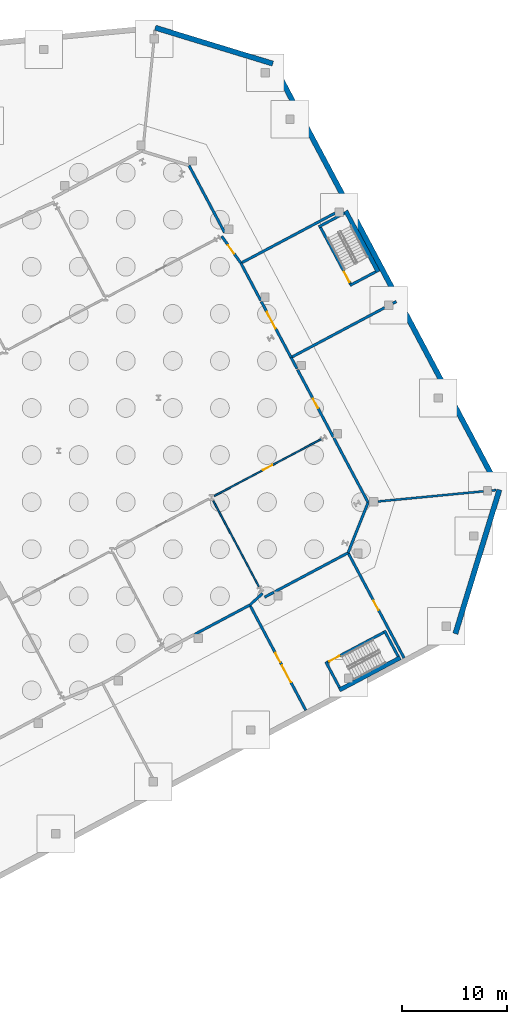
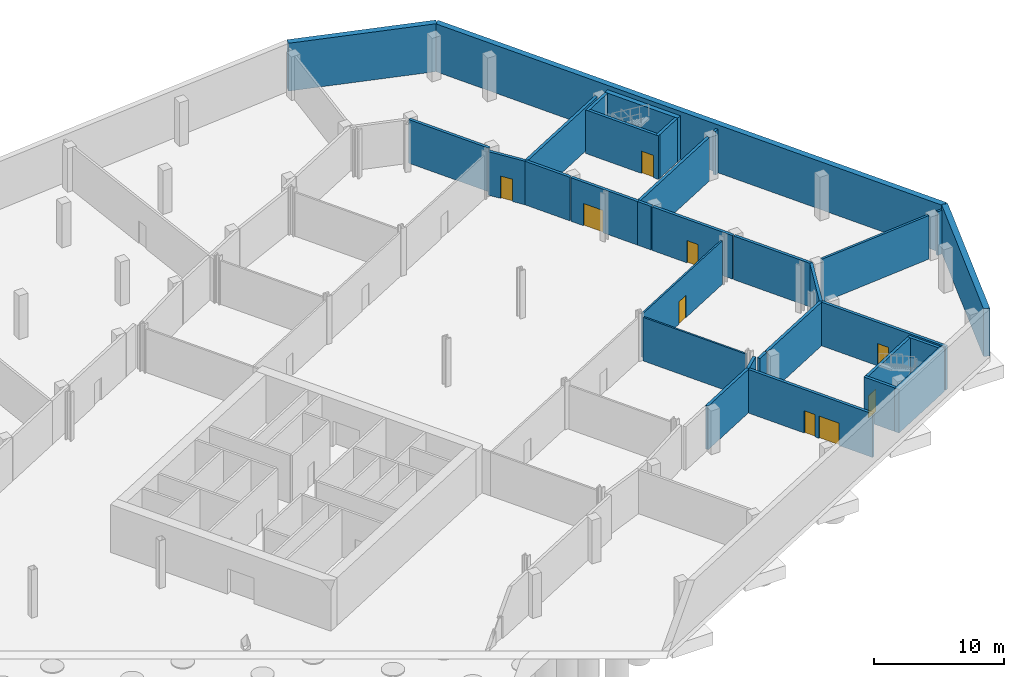
# One storey, part 20 of 29: 32 walls, 9 doors, 9 openings.
"""IFC4 building model written with IfcOpenShell, lengths in metres."""

from ifc_helpers import new_model, si_unit, direction, frame, frame_2d, origin, place, context, subcontext, project, spatial, rectangle, extrude, material, layer, layer_set, type_object, element, fill, save


model = new_model("IFC4")

# Units and contexts
model_context = context("Model", 3, precision=1e-05, world=origin(), true_north=direction((0.0, 1.0)))
body_context = subcontext(model_context, "Body", "Model", "MODEL_VIEW")
ifc_project = project(units=[si_unit("LENGTHUNIT", "METRE"), si_unit("AREAUNIT", "SQUARE_METRE"), si_unit("VOLUMEUNIT", "CUBIC_METRE"), si_unit("PLANEANGLEUNIT", "RADIAN"), si_unit("MASSUNIT", "GRAM", prefix="KILO")], contexts=[model_context])

# Site, building, storey
site_placement = place(None, origin())
site = spatial("IfcSite", under=ifc_project, at=site_placement, CompositionType="ELEMENT")
building_placement = place(site_placement, origin())
building = spatial("IfcBuilding", under=site, at=building_placement, Name="Cormorant Relay Tower", CompositionType="ELEMENT")
storey_placement = place(building_placement, frame((0.0, 0.0, -9.0)))
storey = spatial("IfcBuildingStorey", under=building, at=storey_placement, Name="B2", CompositionType="ELEMENT", Elevation=-9.0)

# Wall, openings, doors
ifc_material_1 = material(Name="Concrete masonry 20 MPa", Category="masonry")
ifc_layer_1 = layer(ifc_material_1, 0.25)
ifc_layer_set_1 = layer_set([ifc_layer_1], Name="Fire separation wall 250")
wall_type_1 = type_object("IfcWallType", Name="Fire separation wall 250", PredefinedType="SOLIDWALL", material=ifc_layer_set_1)
wall_1_placement = place(storey_placement, frame((66.711181640625, -1.90380859375, 0.0), z_axis=(0.0, 0.0, 1.0), x_axis=(-0.469474097874, 0.882946244924, 0.0)))
wall_1 = element("IfcWall", 1, at=wall_1_placement, inside=storey, type_object=wall_type_1, Name="Partition", PredefinedType="SOLIDWALL", context=body_context, shape_type="SweptSolid", body=[
    extrude(rectangle(XDim=11.400146484375, YDim=0.25, at=frame_2d((5.7001953125, 0.0))), origin(), (0.0, 0.0, 1.0), 4.10009765625),
])
opening_1_placement = place(wall_1_placement, frame((5.199951171875, 0.0, 0.0)))
opening_1 = element("IfcOpeningElement", 2, at=opening_1_placement, cuts=wall_1, Name="Opening PD1-003", PredefinedType="OPENING", context=body_context, shape_type="SweptSolid", body=[
    extrude(rectangle(XDim=1.0, YDim=2.10009765625, at=frame_2d((0.5, 1.050048828125))), frame((0.0, 0.135009765625, 0.0), z_axis=(0.0, -1.0, 0.0), x_axis=(1.0, 0.0, 0.0)), (0.0, 0.0, 1.0), 0.27001953125),
])
opening_2_placement = place(wall_1_placement, frame((3.050048828125, 0.0, 0.0)))
opening_2 = element("IfcOpeningElement", 3, at=opening_2_placement, cuts=wall_1, Name="Opening PD3-001", PredefinedType="OPENING", context=body_context, shape_type="SweptSolid", body=[
    extrude(rectangle(XDim=1.800048828125, YDim=2.10009765625, at=frame_2d((0.89990234375, 1.050048828125))), frame((0.0, 0.135009765625, 0.0), z_axis=(0.0, -1.0, 0.0), x_axis=(1.0, 0.0, 0.0)), (0.0, 0.0, 1.0), 0.27001953125),
])
ifc_material_2 = material(Name="Steel door leaf", Category="steel")
door_type_1 = type_object("IfcDoorType", Name="Door double 1800", OperationType="DOUBLE_DOOR_SINGLE_SWING", PredefinedType="DOOR", material=ifc_material_2)
door_1_placement = place(opening_2_placement, frame((1.800048828125, 0.0, 0.0), z_axis=(0.0, 0.0, 1.0), x_axis=(-1.0, 0.0, 0.0)))
door_1 = element("IfcDoor", 4, at=door_1_placement, inside=storey, type_object=door_type_1, Name="Door", OperationType="DOUBLE_DOOR_SINGLE_SWING", OverallHeight=2.10009765625, OverallWidth=1.800048828125, PredefinedType="DOOR", context=body_context, shape_type="SweptSolid", body=[
    extrude(rectangle(XDim=1.800048828125, YDim=2.10009765625, at=frame_2d((0.89990234375, 1.050048828125))), frame((0.0, 0.02490234375, 0.0), z_axis=(0.0, -1.0, 0.0), x_axis=(1.0, 0.0, 0.0)), (0.0, 0.0, 1.0), 0.050048828125),
])
fill(opening_2, door_1)
ifc_material_3 = material(Name="Steel door leaf", Category="steel")
door_type_2 = type_object("IfcDoorType", Name="Door single 1000", OperationType="SINGLE_SWING_LEFT", PredefinedType="DOOR", material=ifc_material_3)
door_2_placement = place(opening_1_placement, frame((1.0, 0.0, 0.0), z_axis=(0.0, 0.0, 1.0), x_axis=(-1.0, 0.0, 0.0)))
door_2 = element("IfcDoor", 5, at=door_2_placement, inside=storey, type_object=door_type_2, Name="Door", OperationType="SINGLE_SWING_LEFT", OverallHeight=2.10009765625, OverallWidth=1.0, PredefinedType="DOOR", context=body_context, shape_type="SweptSolid", body=[
    extrude(rectangle(XDim=1.0, YDim=2.10009765625, at=frame_2d((0.5, 1.050048828125))), frame((0.0, 0.02490234375, 0.0), z_axis=(0.0, -1.0, 0.0), x_axis=(1.0, 0.0, 0.0)), (0.0, 0.0, 1.0), 0.050048828125),
])
fill(opening_1, door_2)

# Wall
wall_2_placement = place(storey_placement, frame((61.36279296875, 8.16357421875, 0.0), z_axis=(0.0, 0.0, 1.0), x_axis=(-0.882945796858, -0.469474940556, 0.0)))
element("IfcWall", 6, at=wall_2_placement, inside=storey, type_object=wall_type_1, Name="Partition", PredefinedType="SOLIDWALL", context=body_context, shape_type="SweptSolid", body=[
    extrude(rectangle(XDim=5.954833984375, YDim=0.25, at=frame_2d((2.9775390625, 0.0))), origin(), (0.0, 0.0, 1.0), 4.10009765625),
])

# Wall, opening, door
wall_3_placement = place(storey_placement, frame((76.106689453125, 3.091796875, 0.0), z_axis=(0.0, 0.0, 1.0), x_axis=(-0.469474097874, 0.882946244924, 0.0)))
wall_3 = element("IfcWall", 7, at=wall_3_placement, inside=storey, type_object=wall_type_1, Name="Partition", PredefinedType="SOLIDWALL", context=body_context, shape_type="SweptSolid", body=[
    extrude(rectangle(XDim=11.400146484375, YDim=0.25, at=frame_2d((5.7001953125, 0.0))), origin(), (0.0, 0.0, 1.0), 4.10009765625),
])
opening_3_placement = place(wall_3_placement, frame((5.199951171875, 0.0, 0.0)))
opening_3 = element("IfcOpeningElement", 8, at=opening_3_placement, cuts=wall_3, Name="Opening PD1-004", PredefinedType="OPENING", context=body_context, shape_type="SweptSolid", body=[
    extrude(rectangle(XDim=1.0, YDim=2.10009765625, at=frame_2d((0.5, 1.050048828125))), frame((0.0, 0.135009765625, 0.0), z_axis=(0.0, -1.0, 0.0), x_axis=(1.0, 0.0, 0.0)), (0.0, 0.0, 1.0), 0.27001953125),
])
door_3_placement = place(opening_3_placement, frame((1.0, 0.0, 0.0), z_axis=(0.0, 0.0, 1.0), x_axis=(-1.0, 0.0, 0.0)))
door_3 = element("IfcDoor", 9, at=door_3_placement, inside=storey, type_object=door_type_2, Name="Door", OperationType="SINGLE_SWING_LEFT", OverallHeight=2.10009765625, OverallWidth=1.0, PredefinedType="DOOR", context=body_context, shape_type="SweptSolid", body=[
    extrude(rectangle(XDim=1.0, YDim=2.10009765625, at=frame_2d((0.5, 1.050048828125))), frame((0.0, 0.02490234375, 0.0), z_axis=(0.0, -1.0, 0.0), x_axis=(1.0, 0.0, 0.0)), (0.0, 0.0, 1.0), 0.050048828125),
])
fill(opening_3, door_3)

# Walls
wall_4_placement = place(storey_placement, frame((62.5732421875, 9.26806640625, 0.0), z_axis=(0.0, 0.0, 1.0), x_axis=(-0.739544046234, -0.673108166404, 0.0)))
element("IfcWall", 10, at=wall_4_placement, inside=storey, type_object=wall_type_1, Name="Partition", PredefinedType="SOLIDWALL", context=body_context, shape_type="SweptSolid", body=[
    extrude(rectangle(XDim=1.646240234375, YDim=0.25, at=frame_2d((0.8232421875, 0.0))), origin(), (0.0, 0.0, 1.0), 4.10009765625),
])
wall_5_placement = place(storey_placement, frame((70.75830078125, 13.1591796875, 0.0), z_axis=(0.0, 0.0, 1.0), x_axis=(-0.882950480299, -0.46946613226, 0.0)))
element("IfcWall", 11, at=wall_5_placement, inside=storey, type_object=wall_type_1, Name="Partition", PredefinedType="SOLIDWALL", context=body_context, shape_type="SweptSolid", body=[
    extrude(rectangle(XDim=7.94140625, YDim=0.25, at=frame_2d((3.970703125, 0.0))), origin(), (0.0, 0.0, 1.0), 4.10009765625),
])
wall_6_placement = place(storey_placement, frame((63.658935546875, 9.384521484375, 0.0), z_axis=(0.0, 0.0, 1.0), x_axis=(-0.882866012348, -0.469624961263, 0.0)))
element("IfcWall", 12, at=wall_6_placement, inside=storey, type_object=wall_type_1, Name="Partition", PredefinedType="SOLIDWALL", context=body_context, shape_type="SweptSolid", body=[
    extrude(rectangle(XDim=1.01318359375, YDim=0.25, at=frame_2d((0.506591796875, 0.0))), origin(), (0.0, 0.0, 1.0), 4.10009765625),
])
wall_7_placement = place(storey_placement, frame((72.669189453125, 17.97119140625, 0.0), z_axis=(0.0, 0.0, 1.0), x_axis=(-0.370009777786, -0.929027859831, 0.0)))
element("IfcWall", 13, at=wall_7_placement, inside=storey, type_object=wall_type_1, Name="Partition", PredefinedType="SOLIDWALL", context=body_context, shape_type="SweptSolid", body=[
    extrude(rectangle(XDim=5.18359375, YDim=0.25, at=frame_2d((2.591796875, 0.0))), origin(), (0.0, 0.0, 1.0), 4.10009765625),
])
wall_8_placement = place(storey_placement, frame((75.36572265625, 37.18212890625, 0.0), z_axis=(0.0, 0.0, 1.0), x_axis=(-0.882960484464, -0.4694473164, 0.0)))
element("IfcWall", 14, at=wall_8_placement, inside=storey, type_object=wall_type_1, Name="Partition", PredefinedType="SOLIDWALL", context=body_context, shape_type="SweptSolid", body=[
    extrude(rectangle(XDim=0.36669921875, YDim=0.25, at=frame_2d((0.183349609375, 0.0))), origin(), (0.0, 0.0, 1.0), 4.10009765625),
])
wall_9_placement = place(storey_placement, frame((74.241943359375, 36.584716796875, 0.0), z_axis=(0.0, 0.0, 1.0), x_axis=(-0.882936179938, -0.469493026738, 0.0)))
element("IfcWall", 15, at=wall_9_placement, inside=storey, type_object=wall_type_1, Name="Partition", PredefinedType="SOLIDWALL", context=body_context, shape_type="SweptSolid", body=[
    extrude(rectangle(XDim=10.127197265625, YDim=0.25, at=frame_2d((5.0634765625, 0.0))), origin(), (0.0, 0.0, 1.0), 4.10009765625),
])
wall_10_placement = place(storey_placement, frame((65.302978515625, 31.824951171875, 0.0), z_axis=(0.0, 0.0, 1.0), x_axis=(0.46947695358, -0.882944726502, 0.0)))
element("IfcWall", 16, at=wall_10_placement, inside=storey, type_object=wall_type_1, Name="Partition", PredefinedType="SOLIDWALL", context=body_context, shape_type="SweptSolid", body=[
    extrude(rectangle(XDim=1.220458984375, YDim=0.25, at=frame_2d((0.6103515625, 0.0))), origin(), (0.0, 0.0, 1.0), 4.10009765625),
])

# Wall, opening, door
wall_11_placement = place(storey_placement, frame((65.9228515625, 30.658935546875, 0.0), z_axis=(0.0, 0.0, 1.0), x_axis=(0.469479540895, -0.882943350777, 0.0)))
wall_11 = element("IfcWall", 17, at=wall_11_placement, inside=storey, type_object=wall_type_1, Name="Partition", PredefinedType="SOLIDWALL", context=body_context, shape_type="SweptSolid", body=[
    extrude(rectangle(XDim=7.282958984375, YDim=0.25, at=frame_2d((3.6416015625, 0.0))), origin(), (0.0, 0.0, 1.0), 4.10009765625),
])
opening_4_placement = place(wall_11_placement, frame((3.14111328125, 0.0, 0.0)))
opening_4 = element("IfcOpeningElement", 18, at=opening_4_placement, cuts=wall_11, Name="Opening PD1-008", PredefinedType="OPENING", context=body_context, shape_type="SweptSolid", body=[
    extrude(rectangle(XDim=1.0, YDim=2.10009765625, at=frame_2d((0.5, 1.050048828125))), frame((0.0, 0.135009765625, 0.0), z_axis=(0.0, -1.0, 0.0), x_axis=(1.0, 0.0, 0.0)), (0.0, 0.0, 1.0), 0.27001953125),
])
door_4_placement = place(opening_4_placement, origin())
door_4 = element("IfcDoor", 19, at=door_4_placement, inside=storey, type_object=door_type_2, Name="Door", OperationType="SINGLE_SWING_LEFT", OverallHeight=2.10009765625, OverallWidth=1.0, PredefinedType="DOOR", context=body_context, shape_type="SweptSolid", body=[
    extrude(rectangle(XDim=1.0, YDim=2.10009765625, at=frame_2d((0.5, 1.050048828125))), frame((0.0, 0.02490234375, 0.0), z_axis=(0.0, -1.0, 0.0), x_axis=(1.0, 0.0, 0.0)), (0.0, 0.0, 1.0), 0.050048828125),
])
fill(opening_4, door_4)

# Walls
wall_12_placement = place(storey_placement, frame((69.388671875, 24.14111328125, 0.0), z_axis=(0.0, 0.0, 1.0), x_axis=(0.469461736628, -0.882952817449, 0.0)))
element("IfcWall", 20, at=wall_12_placement, inside=storey, type_object=wall_type_1, Name="Partition", PredefinedType="SOLIDWALL", context=body_context, shape_type="SweptSolid", body=[
    extrude(rectangle(XDim=6.98779296875, YDim=0.25, at=frame_2d((3.493896484375, 0.0))), origin(), (0.0, 0.0, 1.0), 4.10009765625),
])
wall_13_placement = place(storey_placement, frame((69.51806640625, 45.635498046875, 0.0), z_axis=(0.0, 0.0, 1.0), x_axis=(-0.882956154604, -0.46945546013, 0.0)))
element("IfcWall", 21, at=wall_13_placement, inside=storey, type_object=wall_type_1, Name="Partition", PredefinedType="SOLIDWALL", context=body_context, shape_type="SweptSolid", body=[
    extrude(rectangle(XDim=10.20556640625, YDim=0.25, at=frame_2d((5.102783203125, 0.0))), origin(), (0.0, 0.0, 1.0), 4.10009765625),
])
wall_14_placement = place(storey_placement, frame((60.50537109375, 40.847900390625, 0.0), z_axis=(0.0, 0.0, 1.0), x_axis=(0.469448377302, -0.882959920409, 0.0)))
element("IfcWall", 22, at=wall_14_placement, inside=storey, type_object=wall_type_1, Name="Partition", PredefinedType="SOLIDWALL", context=body_context, shape_type="SweptSolid", body=[
    extrude(rectangle(XDim=4.05908203125, YDim=0.25, at=frame_2d((2.029541015625, 0.0))), origin(), (0.0, 0.0, 1.0), 4.10009765625),
])

# Wall, opening, door
wall_15_placement = place(storey_placement, frame((62.457275390625, 37.177001953125, 0.0), z_axis=(0.0, 0.0, 1.0), x_axis=(0.469458615732, -0.882954476808, 0.0)))
wall_15 = element("IfcWall", 23, at=wall_15_placement, inside=storey, type_object=wall_type_1, Name="Partition", PredefinedType="SOLIDWALL", context=body_context, shape_type="SweptSolid", body=[
    extrude(rectangle(XDim=6.0595703125, YDim=0.25, at=frame_2d((3.02978515625, 0.0))), origin(), (0.0, 0.0, 1.0), 4.10009765625),
])
opening_5_placement = place(wall_15_placement, frame((1.1298828125, 0.0, 0.0)))
opening_5 = element("IfcOpeningElement", 24, at=opening_5_placement, cuts=wall_15, Name="Opening PD3-002", PredefinedType="OPENING", context=body_context, shape_type="SweptSolid", body=[
    extrude(rectangle(XDim=1.800048828125, YDim=2.10009765625, at=frame_2d((0.89990234375, 1.050048828125))), frame((0.0, 0.135009765625, 0.0), z_axis=(0.0, -1.0, 0.0), x_axis=(1.0, 0.0, 0.0)), (0.0, 0.0, 1.0), 0.27001953125),
])
door_5_placement = place(opening_5_placement, origin())
door_5 = element("IfcDoor", 25, at=door_5_placement, inside=storey, type_object=door_type_1, Name="Door", OperationType="DOUBLE_DOOR_SINGLE_SWING", OverallHeight=2.10009765625, OverallWidth=1.800048828125, PredefinedType="DOOR", context=body_context, shape_type="SweptSolid", body=[
    extrude(rectangle(XDim=1.800048828125, YDim=2.10009765625, at=frame_2d((0.89990234375, 1.050048828125))), frame((0.0, 0.02490234375, 0.0), z_axis=(0.0, -1.0, 0.0), x_axis=(1.0, 0.0, 0.0)), (0.0, 0.0, 1.0), 0.050048828125),
])
fill(opening_5, door_5)

wall_16_placement = place(storey_placement, frame((58.672119140625, 43.42822265625, 0.0), z_axis=(0.0, 0.0, 1.0), x_axis=(0.578928632739, -0.815378217881, 0.0)))
wall_16 = element("IfcWall", 26, at=wall_16_placement, inside=storey, type_object=wall_type_1, Name="Partition", PredefinedType="SOLIDWALL", context=body_context, shape_type="SweptSolid", body=[
    extrude(rectangle(XDim=3.14306640625, YDim=0.25, at=frame_2d((1.571533203125, 0.0))), origin(), (0.0, 0.0, 1.0), 4.10009765625),
])
opening_6_placement = place(wall_16_placement, frame((1.072021484375, 0.0, 0.0)))
opening_6 = element("IfcOpeningElement", 27, at=opening_6_placement, cuts=wall_16, Name="Opening PD1-009", PredefinedType="OPENING", context=body_context, shape_type="SweptSolid", body=[
    extrude(rectangle(XDim=1.0, YDim=2.10009765625, at=frame_2d((0.5, 1.050048828125))), frame((0.0, 0.135009765625, 0.0), z_axis=(0.0, -1.0, 0.0), x_axis=(1.0, 0.0, 0.0)), (0.0, 0.0, 1.0), 0.27001953125),
])
door_6_placement = place(opening_6_placement, origin())
door_6 = element("IfcDoor", 28, at=door_6_placement, inside=storey, type_object=door_type_2, Name="Door", OperationType="SINGLE_SWING_RIGHT", OverallHeight=2.10009765625, OverallWidth=1.0, PredefinedType="DOOR", context=body_context, shape_type="SweptSolid", body=[
    extrude(rectangle(XDim=1.0, YDim=2.10009765625, at=frame_2d((0.5, 1.050048828125))), frame((0.0, 0.02490234375, 0.0), z_axis=(0.0, -1.0, 0.0), x_axis=(1.0, 0.0, 0.0)), (0.0, 0.0, 1.0), 0.050048828125),
])
fill(opening_6, door_6)

# Walls
wall_17_placement = place(storey_placement, frame((55.534912109375, 50.196044921875, 0.0), z_axis=(0.0, 0.0, 1.0), x_axis=(0.469471385401, -0.882947687176, 0.0)))
element("IfcWall", 29, at=wall_17_placement, inside=storey, type_object=wall_type_1, Name="Partition", PredefinedType="SOLIDWALL", context=body_context, shape_type="SweptSolid", body=[
    extrude(rectangle(XDim=7.263916015625, YDim=0.25, at=frame_2d((3.6318359375, 0.0))), origin(), (0.0, 0.0, 1.0), 4.10009765625),
])
wall_18_placement = place(storey_placement, frame((69.93701171875, 0.264404296875, 0.0), z_axis=(0.0, 0.0, 1.0), x_axis=(-0.469533439143, 0.882914689835, 0.0)))
element("IfcWall", 30, at=wall_18_placement, inside=storey, type_object=wall_type_1, Name="Stair enclosure wall", PredefinedType="SOLIDWALL", context=body_context, shape_type="SweptSolid", body=[
    extrude(rectangle(XDim=2.800048828125, YDim=0.25, at=frame_2d((1.39990234375, 0.0))), origin(), (0.0, 0.0, 1.0), 4.10009765625),
])
wall_19_placement = place(storey_placement, frame((75.543701171875, 3.245361328125, 0.0), z_axis=(0.0, 0.0, 1.0), x_axis=(-0.469497295046, 0.882933910293, 0.0)))
element("IfcWall", 31, at=wall_19_placement, inside=storey, type_object=wall_type_1, Name="Stair enclosure wall", PredefinedType="SOLIDWALL", context=body_context, shape_type="SweptSolid", body=[
    extrude(rectangle(XDim=2.80029296875, YDim=0.25, at=frame_2d((1.400146484375, 0.0))), origin(), (0.0, 0.0, 1.0), 4.10009765625),
])

# Wall, opening, door
wall_20_placement = place(storey_placement, frame((68.57080078125, 2.5673828125, 0.0), z_axis=(0.0, 0.0, 1.0), x_axis=(0.882937969766, 0.469489660743, 0.0)))
wall_20 = element("IfcWall", 32, at=wall_20_placement, inside=storey, type_object=wall_type_1, Name="Stair enclosure wall", PredefinedType="SOLIDWALL", context=body_context, shape_type="SweptSolid", body=[
    extrude(rectangle(XDim=6.60009765625, YDim=0.25, at=frame_2d((3.300048828125, 0.0))), origin(), (0.0, 0.0, 1.0), 4.10009765625),
])
opening_7_placement = place(wall_20_placement, frame((0.449951171875, 0.0, 0.0)))
opening_7 = element("IfcOpeningElement", 33, at=opening_7_placement, cuts=wall_20, Name="Opening PD10-001", PredefinedType="OPENING", context=body_context, shape_type="SweptSolid", body=[
    extrude(rectangle(XDim=1.10009765625, YDim=2.10009765625, at=frame_2d((0.550048828125, 1.050048828125))), frame((0.0, 0.135009765625, 0.0), z_axis=(0.0, -1.0, 0.0), x_axis=(1.0, 0.0, 0.0)), (0.0, 0.0, 1.0), 0.27001953125),
])
ifc_material_4 = material(Name="Steel fire door leaf", Category="steel")
door_type_3 = type_object("IfcDoorType", Name="Door stair 1100", OperationType="SINGLE_SWING_LEFT", PredefinedType="DOOR", material=ifc_material_4)
door_7_placement = place(opening_7_placement, origin())
door_7 = element("IfcDoor", 34, at=door_7_placement, inside=storey, type_object=door_type_3, Name="Stair door", OperationType="SINGLE_SWING_LEFT", OverallHeight=2.10009765625, OverallWidth=1.10009765625, PredefinedType="DOOR", context=body_context, shape_type="SweptSolid", body=[
    extrude(rectangle(XDim=1.10009765625, YDim=2.10009765625, at=frame_2d((0.550048828125, 1.050048828125))), frame((0.0, 0.02490234375, 0.0), z_axis=(0.0, -1.0, 0.0), x_axis=(1.0, 0.0, 0.0)), (0.0, 0.0, 1.0), 0.050048828125),
])
fill(opening_7, door_7)

# Walls
wall_21_placement = place(storey_placement, frame((73.400390625, 40.026611328125, 0.0), z_axis=(0.0, 0.0, 1.0), x_axis=(-0.882970050864, -0.469429322983, 0.0)))
element("IfcWall", 35, at=wall_21_placement, inside=storey, type_object=wall_type_1, Name="Stair enclosure wall", PredefinedType="SOLIDWALL", context=body_context, shape_type="SweptSolid", body=[
    extrude(rectangle(XDim=2.800048828125, YDim=0.25, at=frame_2d((1.39990234375, 0.0))), origin(), (0.0, 0.0, 1.0), 4.10009765625),
])
wall_22_placement = place(storey_placement, frame((70.419189453125, 45.63330078125, 0.0), z_axis=(0.0, 0.0, 1.0), x_axis=(-0.882950835185, -0.469465464807, 0.0)))
element("IfcWall", 36, at=wall_22_placement, inside=storey, type_object=wall_type_1, Name="Stair enclosure wall", PredefinedType="SOLIDWALL", context=body_context, shape_type="SweptSolid", body=[
    extrude(rectangle(XDim=2.7998046875, YDim=0.25, at=frame_2d((1.39990234375, 0.0))), origin(), (0.0, 0.0, 1.0), 4.10009765625),
])

# Wall, opening, door
wall_23_placement = place(storey_placement, frame((71.09716796875, 38.660400390625, 0.0), z_axis=(0.0, 0.0, 1.0), x_axis=(-0.469489660743, 0.882937969766, 0.0)))
wall_23 = element("IfcWall", 37, at=wall_23_placement, inside=storey, type_object=wall_type_1, Name="Stair enclosure wall", PredefinedType="SOLIDWALL", context=body_context, shape_type="SweptSolid", body=[
    extrude(rectangle(XDim=6.60009765625, YDim=0.25, at=frame_2d((3.300048828125, 0.0))), origin(), (0.0, 0.0, 1.0), 4.10009765625),
])
opening_8_placement = place(wall_23_placement, frame((0.449951171875, 0.0, 0.0)))
opening_8 = element("IfcOpeningElement", 38, at=opening_8_placement, cuts=wall_23, Name="Opening PD10-002", PredefinedType="OPENING", context=body_context, shape_type="SweptSolid", body=[
    extrude(rectangle(XDim=1.10009765625, YDim=2.10009765625, at=frame_2d((0.550048828125, 1.050048828125))), frame((0.0, 0.135009765625, 0.0), z_axis=(0.0, -1.0, 0.0), x_axis=(1.0, 0.0, 0.0)), (0.0, 0.0, 1.0), 0.27001953125),
])
door_8_placement = place(opening_8_placement, origin())
door_8 = element("IfcDoor", 39, at=door_8_placement, inside=storey, type_object=door_type_3, Name="Stair door", OperationType="SINGLE_SWING_RIGHT", OverallHeight=2.10009765625, OverallWidth=1.10009765625, PredefinedType="DOOR", context=body_context, shape_type="SweptSolid", body=[
    extrude(rectangle(XDim=1.10009765625, YDim=2.10009765625, at=frame_2d((0.550048828125, 1.050048828125))), frame((0.0, 0.02490234375, 0.0), z_axis=(0.0, -1.0, 0.0), x_axis=(1.0, 0.0, 0.0)), (0.0, 0.0, 1.0), 0.050048828125),
])
fill(opening_8, door_8)

ifc_material_5 = material(Name="Gypsum board on steel stud", Category="steel")
ifc_layer_2 = layer(ifc_material_5, 0.14990234375)
ifc_layer_set_2 = layer_set([ifc_layer_2], Name="Partition 150")
wall_type_2 = type_object("IfcWallType", Name="Partition 150", PredefinedType="PARTITIONING", material=ifc_layer_set_2)
wall_24_placement = place(storey_placement, frame((57.95654296875, 18.584228515625, 0.0), z_axis=(0.0, 0.0, 1.0), x_axis=(0.882944872937, 0.469476678179, 0.0)))
wall_24 = element("IfcWall", 40, at=wall_24_placement, inside=storey, type_object=wall_type_2, Name="Partition", PredefinedType="PARTITIONING", context=body_context, shape_type="SweptSolid", body=[
    extrude(rectangle(XDim=11.586181640625, YDim=0.14990234375, at=frame_2d((5.79296875, 0.0))), origin(), (0.0, 0.0, 1.0), 4.10009765625),
])
opening_9_placement = place(wall_24_placement, frame((5.272705078125, 0.0, 0.0)))
opening_9 = element("IfcOpeningElement", 41, at=opening_9_placement, cuts=wall_24, Name="Opening PD1-026", PredefinedType="OPENING", context=body_context, shape_type="SweptSolid", body=[
    extrude(rectangle(XDim=1.0, YDim=2.10009765625, at=frame_2d((0.5, 1.050048828125))), frame((0.0, 0.0849609375, 0.0), z_axis=(0.0, -1.0, 0.0), x_axis=(1.0, 0.0, 0.0)), (0.0, 0.0, 1.0), 0.169921875),
])
door_9_placement = place(opening_9_placement, frame((1.0, 0.0, 0.0), z_axis=(0.0, 0.0, 1.0), x_axis=(-1.0, 0.0, 0.0)))
door_9 = element("IfcDoor", 42, at=door_9_placement, inside=storey, type_object=door_type_2, Name="Door", OperationType="SINGLE_SWING_RIGHT", OverallHeight=2.10009765625, OverallWidth=1.0, PredefinedType="DOOR", context=body_context, shape_type="SweptSolid", body=[
    extrude(rectangle(XDim=1.0, YDim=2.10009765625, at=frame_2d((0.5, 1.050048828125))), frame((0.0, 0.02490234375, 0.0), z_axis=(0.0, -1.0, 0.0), x_axis=(1.0, 0.0, 0.0)), (0.0, 0.0, 1.0), 0.050048828125),
])
fill(opening_9, door_9)

# Walls
wall_25_placement = place(storey_placement, frame((62.240234375, 9.894287109375, 0.0), z_axis=(0.0, 0.0, 1.0), x_axis=(-0.469471003187, 0.882947890403, 0.0)))
element("IfcWall", 43, at=wall_25_placement, inside=storey, type_object=wall_type_2, Name="Partition", PredefinedType="PARTITIONING", context=body_context, shape_type="SweptSolid", body=[
    extrude(rectangle(XDim=9.326171875, YDim=0.14990234375, at=frame_2d((4.6630859375, 0.0))), origin(), (0.0, 0.0, 1.0), 4.10009765625),
])
ifc_material_6 = material(Name="Concrete masonry 20 MPa", Category="masonry")
ifc_layer_3 = layer(ifc_material_6, 0.199951171875)
ifc_layer_set_3 = layer_set([ifc_layer_3], Name="Plant room wall 200")
wall_type_3 = type_object("IfcWallType", Name="Plant room wall 200", PredefinedType="PARTITIONING", material=ifc_layer_set_3)
wall_26_placement = place(storey_placement, frame((84.91162109375, 19.14990234375, 0.0), z_axis=(0.0, 0.0, 1.0), x_axis=(-0.995412196651, -0.095679458393, 0.0)))
element("IfcWall", 44, at=wall_26_placement, inside=storey, type_object=wall_type_3, Name="Partition", PredefinedType="PARTITIONING", context=body_context, shape_type="SweptSolid", body=[
    extrude(rectangle(XDim=0.423583984375, YDim=0.199951171875, at=frame_2d((0.2119140625, 0.0))), origin(), (0.0, 0.0, 1.0), 4.10009765625),
])
wall_27_placement = place(storey_placement, frame((83.68994140625, 19.0322265625, 0.0), z_axis=(0.0, 0.0, 1.0), x_axis=(-0.995397009029, -0.095837333105, 0.0)))
element("IfcWall", 45, at=wall_27_placement, inside=storey, type_object=wall_type_3, Name="Partition", PredefinedType="PARTITIONING", context=body_context, shape_type="SweptSolid", body=[
    extrude(rectangle(XDim=10.128662109375, YDim=0.199951171875, at=frame_2d((5.064453125, 0.0))), origin(), (0.0, 0.0, 1.0), 4.10009765625),
])
ifc_material_7 = material(Name="Concrete 40 MPa", Category="concrete")
ifc_layer_4 = layer(ifc_material_7, 0.5)
ifc_layer_set_4 = layer_set([ifc_layer_4], Name="Retaining wall 500")
wall_type_4 = type_object("IfcWallType", Name="Retaining wall 500", PredefinedType="SOLIDWALL", material=ifc_layer_set_4)
wall_28_placement = place(storey_placement, frame((81.013427734375, 5.417724609375, 0.0), z_axis=(0.0, 0.0, 1.0), x_axis=(0.292375850554, 0.956303488445, 0.0)))
element("IfcWall", 46, at=wall_28_placement, inside=storey, type_object=wall_type_4, Name="Retaining wall", PredefinedType="SOLIDWALL", context=body_context, shape_type="SweptSolid", body=[
    extrude(rectangle(XDim=14.390869140625, YDim=0.5, at=frame_2d((7.1953125, 0.0))), origin(), (0.0, 0.0, 1.0), 4.5),
])
wall_29_placement = place(storey_placement, frame((85.220947265625, 19.1796875, 0.0), z_axis=(0.0, 0.0, 1.0), x_axis=(-0.469470569953, 0.882948120757, 0.0)))
element("IfcWall", 47, at=wall_29_placement, inside=storey, type_object=wall_type_4, Name="Retaining wall", PredefinedType="SOLIDWALL", context=body_context, shape_type="SweptSolid", body=[
    extrude(rectangle(XDim=46.1484375, YDim=0.5, at=frame_2d((23.07421875, 0.0))), origin(), (0.0, 0.0, 1.0), 4.5),
])
wall_30_placement = place(storey_placement, frame((63.5556640625, 59.92626953125, 0.0), z_axis=(0.0, 0.0, 1.0), x_axis=(-0.956305605615, 0.292368925623, 0.0)))
element("IfcWall", 48, at=wall_30_placement, inside=storey, type_object=wall_type_4, Name="Retaining wall", PredefinedType="SOLIDWALL", context=body_context, shape_type="SweptSolid", body=[
    extrude(rectangle(XDim=11.754150390625, YDim=0.5, at=frame_2d((5.876953125, 0.0))), origin(), (0.0, 0.0, 1.0), 4.5),
])
ifc_material_8 = material(Name="Concrete 40 MPa", Category="concrete")
ifc_layer_5 = layer(ifc_material_8, 0.39990234375)
ifc_layer_set_5 = layer_set([ifc_layer_5], Name="Stair furring wall 400")
wall_type_5 = type_object("IfcWallType", Name="Stair furring wall 400", PredefinedType="SOLIDWALL", material=ifc_layer_set_5)
wall_31_placement = place(storey_placement, frame((69.92041015625, 0.029052734375, 0.0), z_axis=(0.0, 0.0, 1.0), x_axis=(0.882953303447, 0.469460822575, 0.0)))
element("IfcWall", 49, at=wall_31_placement, inside=storey, type_object=wall_type_5, Name="Stair furring wall", PredefinedType="SOLIDWALL", context=body_context, shape_type="SweptSolid", body=[
    extrude(rectangle(XDim=6.599853515625, YDim=0.39990234375, at=frame_2d((3.2998046875, 0.0))), origin(), (0.0, 0.0, 1.0), 4.10009765625),
])
wall_32_placement = place(storey_placement, frame((73.635498046875, 40.010009765625, 0.0), z_axis=(0.0, 0.0, 1.0), x_axis=(-0.469445489529, 0.882961455761, 0.0)))
element("IfcWall", 50, at=wall_32_placement, inside=storey, type_object=wall_type_5, Name="Stair furring wall", PredefinedType="SOLIDWALL", context=body_context, shape_type="SweptSolid", body=[
    extrude(rectangle(XDim=6.60009765625, YDim=0.39990234375, at=frame_2d((3.300048828125, 0.0))), origin(), (0.0, 0.0, 1.0), 4.10009765625),
])

save(model, "model.ifc")
